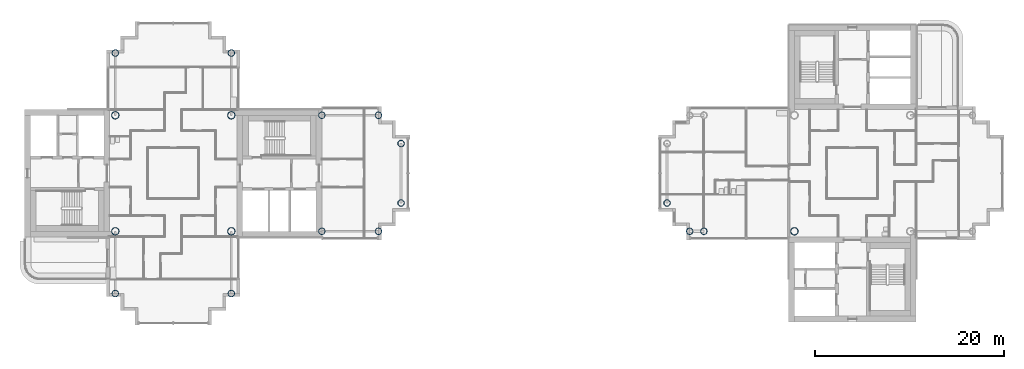
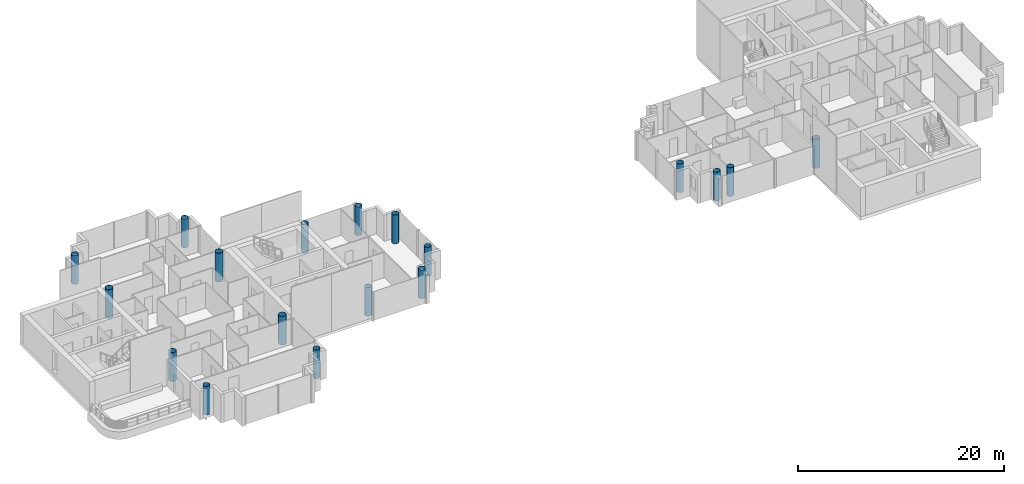
# One storey, part 1 of 18: 18 columns.
"""IFC4 building model written with IfcOpenShell, lengths in metres."""

import ifcopenshell
import ifcopenshell.guid

model = None  # the IFC model being written
_history = None  # IfcOwnerHistory: only IFC2X3 demands one
_inside = {}  # id of a spatial element -> (the spatial element, [elements in it])
_under = {}  # id of a project, library or spatial element -> (it, [spatial elements below it])
_declared = {}  # id of a project -> (the project, [libraries it declares])
_typed = {}  # id of a type object -> (the type object, [elements of that type])
_made_of = {}  # id of a material, layer set ... -> (it, [elements and type objects made of it])


def new_model(schema):
    """Start an empty IFC model of exactly this schema.

    Asked for "IFC4X3", IfcOpenShell would pick the latest addendum, in which some entities
    have other attributes; the version numbers below select the first issue.
    IFC2X3 requires an IfcOwnerHistory on every rooted entity: one is made here for all.
    """
    global model, _history
    if schema == "IFC4X3":
        model = ifcopenshell.file(schema_version=(4, 3, 0, 0))
    else:
        model = ifcopenshell.file(schema=schema)
    _inside.clear()
    _under.clear()
    _declared.clear()
    _typed.clear()
    _made_of.clear()
    _history = None
    if model.schema == "IFC2X3":
        org = make("IfcOrganization", Name="unknown")
        user = make(
            "IfcPersonAndOrganization",
            ThePerson=make("IfcPerson", FamilyName="unknown"),
            TheOrganization=org,
        )
        app = make(
            "IfcApplication",
            ApplicationDeveloper=org,
            Version="unknown",
            ApplicationFullName="unknown",
            ApplicationIdentifier="unknown",
        )
        _history = make(
            "IfcOwnerHistory",
            OwningUser=user,
            OwningApplication=app,
            ChangeAction="ADDED",
            CreationDate=0,
        )
    return model


def make(cls, **values):
    """One entity of the class cls with the attributes given. An attribute that is None is left unset."""
    return model.create_entity(
        cls, **{name: value for name, value in values.items() if value is not None}
    )


def rooted(cls, **values):
    """An entity with a GlobalId (a new one), such as an element, a storey or a relation."""
    return make(cls, GlobalId=ifcopenshell.guid.new(), OwnerHistory=_history, **values)


def si_unit(unit_type, name, prefix=None):
    """IfcSIUnit, for example si_unit("LENGTHUNIT", "METRE", prefix="MILLI")."""
    return make("IfcSIUnit", UnitType=unit_type, Prefix=prefix, Name=name)


def assignment(units):
    """IfcUnitAssignment: the units of a project."""
    return None if units is None else make("IfcUnitAssignment", Units=units)


def point(xyz):
    """IfcCartesianPoint."""
    return None if xyz is None else make("IfcCartesianPoint", Coordinates=xyz)


def direction(xyz):
    """IfcDirection."""
    return None if xyz is None else make("IfcDirection", DirectionRatios=xyz)


def frame(location, z_axis=None, x_axis=None):
    """IfcAxis2Placement3D, a coordinate frame: its origin and axes. An axis left out is left unset."""
    return make(
        "IfcAxis2Placement3D",
        Location=point(location),
        Axis=direction(z_axis),
        RefDirection=direction(x_axis),
    )


def frame_2d(location, x_axis=None):
    """IfcAxis2Placement2D, a coordinate frame in the plane: its origin and x axis."""
    return make(
        "IfcAxis2Placement2D", Location=point(location), RefDirection=direction(x_axis)
    )


def origin():
    """The frame at (0, 0, 0) with its axes left unset."""
    return frame((0.0, 0.0, 0.0))


def origin_2d():
    """The frame at (0, 0) in the plane with its x axis left unset."""
    return frame_2d((0.0, 0.0))


def place(relative_to, where):
    """IfcLocalPlacement: puts the frame where relative to a parent placement (None: the world)."""
    return make(
        "IfcLocalPlacement", PlacementRelTo=relative_to, RelativePlacement=where
    )


def context(
    kind, dimensions, precision=None, world=None, true_north=None, identifier=None
):
    """IfcGeometricRepresentationContext, for example the 3D "Model" context."""
    return make(
        "IfcGeometricRepresentationContext",
        ContextIdentifier=identifier,
        ContextType=kind,
        CoordinateSpaceDimension=dimensions,
        Precision=precision,
        WorldCoordinateSystem=world,
        TrueNorth=true_north,
    )


def subcontext(parent, identifier, kind, view, scale=None):
    """IfcGeometricRepresentationSubContext, for example "Body" below "Model"."""
    return make(
        "IfcGeometricRepresentationSubContext",
        ContextIdentifier=identifier,
        ContextType=kind,
        ParentContext=parent,
        TargetScale=scale,
        TargetView=view,
    )


def project(units=None, contexts=None):
    """IfcProject with its units and contexts."""
    return rooted(
        "IfcProject",
        Name="project",
        RepresentationContexts=contexts,
        UnitsInContext=assignment(units),
    )


def spatial(cls, under=None, at=None, **own):
    """A site, building, storey or space (cls), placed at a placement, below another one or the project."""
    s = rooted(cls, ObjectPlacement=at, **own)
    if under is not None:
        _under.setdefault(under.id(), (under, []))[1].append(s)
    return s


def profile(cls, at=None, kind="AREA", **sizes):
    """A parametric profile (cls). Its sizes go by their IFC names, for example OverallWidth=200.0."""
    return make(cls, ProfileType=kind, Position=at, **sizes)


def hollow_circle(**sizes):
    """IfcCircleHollowProfileDef."""
    return profile("IfcCircleHollowProfileDef", **sizes)


def extrude(swept, where, along, depth):
    """IfcExtrudedAreaSolid: the profile swept, set in the frame where, extruded along a direction by depth."""
    return make(
        "IfcExtrudedAreaSolid",
        SweptArea=swept,
        Position=where,
        ExtrudedDirection=direction(along),
        Depth=depth,
    )


def shape(context_of_items, identifier, shape_type, items):
    """IfcShapeRepresentation: the items that make up one representation, for example the "Body"."""
    return make(
        "IfcShapeRepresentation",
        ContextOfItems=context_of_items,
        RepresentationIdentifier=identifier,
        RepresentationType=shape_type,
        Items=items,
    )


def material(Name=None, Category=None):
    """IfcMaterial."""
    return make("IfcMaterial", Name=Name, Category=Category)


def material_profile(
    of_material, cross_section, Name=None, Category=None, Priority=None
):
    """IfcMaterialProfile: a cross section and its material."""
    return make(
        "IfcMaterialProfile",
        Name=Name,
        Material=of_material,
        Profile=cross_section,
        Priority=Priority,
        Category=Category,
    )


def profile_set(profiles, Name=None, composite=None):
    """IfcMaterialProfileSet."""
    return make(
        "IfcMaterialProfileSet",
        Name=Name,
        MaterialProfiles=profiles,
        CompositeProfile=composite,
    )


def made_of(thing, what):
    """Note that an element or type object is made of a material, layer set ...; save() writes the relation."""
    if what is not None:
        _made_of.setdefault(what.id(), (what, []))[1].append(thing)
    return thing


def type_object(cls, material=None, **own):
    """A type object (cls), such as IfcWallType, which elements share."""
    return made_of(rooted(cls, **own), material)


def element(
    cls,
    number,
    at=None,
    inside=None,
    cuts=None,
    type_object=None,
    material=None,
    context=None,
    identifier="Body",
    shape_type=None,
    held_by="IfcProductDefinitionShape",
    body=None,
    shapes=None,
    **own,
):
    """One element of the class cls, such as IfcWall. Its Tag is "e" and its number.

    at: its placement. inside: the storey or other place that contains it. cuts: it is an
    opening in that element (IfcRelVoidsElement). A single representation is given by context,
    identifier, shape_type and body (its items); several are given by shapes. held_by: the class
    of the entity that holds the representations. save() writes the other relations.
    """
    e = rooted(cls, Tag="e%d" % number, ObjectPlacement=at, **own)
    if body is not None:
        shapes = [shape(context, identifier, shape_type, body)]
    if shapes is not None:
        e.Representation = make(held_by, Representations=shapes)
    if inside is not None:
        _inside.setdefault(inside.id(), (inside, []))[1].append(e)
    if cuts is not None:
        rooted(
            "IfcRelVoidsElement", RelatingBuildingElement=cuts, RelatedOpeningElement=e
        )
    if type_object is not None:
        _typed.setdefault(type_object.id(), (type_object, []))[1].append(e)
    return made_of(e, material)


def aggregate(whole, parts):
    """IfcRelAggregates: a whole, such as a stair, and the parts it consists of."""
    return rooted("IfcRelAggregates", RelatingObject=whole, RelatedObjects=parts)


def save(model, path):
    """Write the relations noted so far, then the file.

    IfcRelAggregates (storeys below a building ...), IfcRelContainedInSpatialStructure (elements
    in a storey), IfcRelDefinesByType, IfcRelAssociatesMaterial and IfcRelDeclares: one each for
    every whole, place, type object, material and project.
    """
    for whole, parts in _under.values():
        aggregate(whole, parts)
    for where, things in _inside.values():
        rooted(
            "IfcRelContainedInSpatialStructure",
            RelatedElements=things,
            RelatingStructure=where,
        )
    for kind, things in _typed.values():
        rooted("IfcRelDefinesByType", RelatedObjects=things, RelatingType=kind)
    for what, things in _made_of.values():
        rooted("IfcRelAssociatesMaterial", RelatedObjects=things, RelatingMaterial=what)
    for by, libraries in _declared.values():
        rooted("IfcRelDeclares", RelatingContext=by, RelatedDefinitions=libraries)
    model.write(path)


model = new_model("IFC4")

# Units and contexts
model_context = context("Model", 3, precision=1e-05, world=origin(), true_north=direction((0.0, 1.0)))
body_context = subcontext(model_context, "Body", "Model", "MODEL_VIEW")
ifc_project = project(units=[si_unit("LENGTHUNIT", "METRE"), si_unit("AREAUNIT", "SQUARE_METRE"), si_unit("VOLUMEUNIT", "CUBIC_METRE"), si_unit("PLANEANGLEUNIT", "RADIAN"), si_unit("MASSUNIT", "GRAM", prefix="KILO")], contexts=[model_context])

# Site, building, storey
site_placement = place(None, origin())
site = spatial("IfcSite", under=ifc_project, at=site_placement, CompositionType="ELEMENT")
building_placement = place(site_placement, origin())
building = spatial("IfcBuilding", under=site, at=building_placement, Name="Ipe Terrace Towers", CompositionType="ELEMENT")
storey_placement = place(building_placement, frame((0.0, 0.0, 219.800048828125)))
storey = spatial("IfcBuildingStorey", under=building, at=storey_placement, Name="L61", CompositionType="ELEMENT", Elevation=219.800048828125)

# Columns
ifc_material_1 = material(Name="Steel S355 tube with Concrete C60/75 fill", Category="concrete")
ifc_material_profile_1 = material_profile(ifc_material_1, hollow_circle(Radius=0.35009765625, WallThickness=0.02490234375, at=origin_2d()), Name="CHS-700x25")
ifc_profile_set_1 = profile_set([ifc_material_profile_1], Name="Steel S355 tube with Concrete C60/75 fill")
column_type_1 = type_object("IfcColumnType", Name="CH08 COLUMN CHS-700x25", PredefinedType="COLUMN", material=ifc_profile_set_1)
for number, where, z_axis, x_axis, name in (
    (1, (-20.25, -6.14990234375, 0.0), (0.0, 0.0, 1.0), (1.0, 0.0, 0.0), "Column T1-C-A01"),
    (2, (-20.25, 6.14990234375, 0.0), (0.0, 0.0, 1.0), (1.0, 0.0, 0.0), "Column T1-C-A02"),
    (3, (-14.25, -6.14990234375, 0.0), (0.0, 0.0, 1.0), (1.0, 0.0, 0.0), "Column T1-C-A03"),
    (4, (-14.25, 6.14990234375, 0.0), (0.0, 0.0, 1.0), (1.0, 0.0, 0.0), "Column T1-C-A04"),
    (5, (-11.85009765625, -3.14990234375, 0.0), (0.0, 0.0, 1.0), (1.0, 0.0, 0.0), "Column T1-C-A05"),
    (6, (-11.85009765625, 3.14990234375, 0.0), (0.0, 0.0, 1.0), (1.0, 0.0, 0.0), "Column T1-C-A06"),
    (7, (-29.85009765625, 12.75, 0.0), (0.0, 0.0, 1.0), (1.0, 0.0, 0.0), "Column T1-C-B01"),
    (8, (-42.14990234375, 12.75, 0.0), (0.0, 0.0, 1.0), (1.0, 0.0, 0.0), "Column T1-C-B02"),
    (9, (-42.14990234375, -12.75, 0.0), (0.0, 0.0, 1.0), (1.0, 0.0, 0.0), "Column T1-C-D01"),
    (10, (-29.85009765625, -12.75, 0.0), (0.0, 0.0, 1.0), (1.0, 0.0, 0.0), "Column T1-C-D02"),
    (11, (20.25, -6.14990234375, 0.0), (0.0, 0.0, 1.0), (1.0, 0.0, 0.0), "Column T2-C-B04"),
    (12, (18.75, -6.14990234375, 0.0), (0.0, 0.0, 1.0), (1.0, 0.0, 0.0), "Column T2-C-B06"),
    (13, (16.35009765625, -3.14990234375, 0.0), (0.0, 0.0, 1.0), (1.0, 0.0, 0.0), "Column T2-C-B08"),
):
    element("IfcColumn", number, at=place(storey_placement, frame(where, z_axis=z_axis, x_axis=x_axis)), inside=storey, type_object=column_type_1, Name=name, PredefinedType="COLUMN", context=body_context, shape_type="SweptSolid", body=[
        extrude(hollow_circle(Radius=0.35009765625, WallThickness=0.02490234375, at=origin_2d()), origin(), (0.0, 0.0, 1.0), 3.39990234375),
    ])
ifc_material_2 = material(Name="Steel S355 tube with Concrete C60/75 fill", Category="concrete")
ifc_material_profile_2 = material_profile(ifc_material_2, hollow_circle(Radius=0.39990234375, WallThickness=0.028076171875, at=origin_2d()), Name="CHS-800x28")
ifc_profile_set_2 = profile_set([ifc_material_profile_2], Name="Steel S355 tube with Concrete C60/75 fill")
column_type_2 = type_object("IfcColumnType", Name="CH09 COLUMN CHS-800x28", PredefinedType="COLUMN", material=ifc_profile_set_2)
for number, where, z_axis, x_axis, name in (
    (14, (-42.14990234375, -6.14990234375, 0.0), (0.0, 0.0, 1.0), (1.0, 0.0, 0.0), "Column T1-C-E01"),
    (15, (-29.85009765625, -6.14990234375, 0.0), (0.0, 0.0, 1.0), (1.0, 0.0, 0.0), "Column T1-C-E02"),
    (16, (-29.85009765625, 6.14990234375, 0.0), (0.0, 0.0, 1.0), (1.0, 0.0, 0.0), "Column T1-C-E03"),
    (17, (-42.14990234375, 6.14990234375, 0.0), (0.0, 0.0, 1.0), (1.0, 0.0, 0.0), "Column T1-C-E04"),
    (18, (29.85009765625, -6.14990234375, 0.0), (0.0, 0.0, 1.0), (1.0, 0.0, 0.0), "Column T2-C-E04"),
):
    element("IfcColumn", number, at=place(storey_placement, frame(where, z_axis=z_axis, x_axis=x_axis)), inside=storey, type_object=column_type_2, Name=name, PredefinedType="COLUMN", context=body_context, shape_type="SweptSolid", body=[
        extrude(hollow_circle(Radius=0.39990234375, WallThickness=0.028076171875, at=origin_2d()), origin(), (0.0, 0.0, 1.0), 3.39990234375),
    ])

save(model, "model.ifc")
